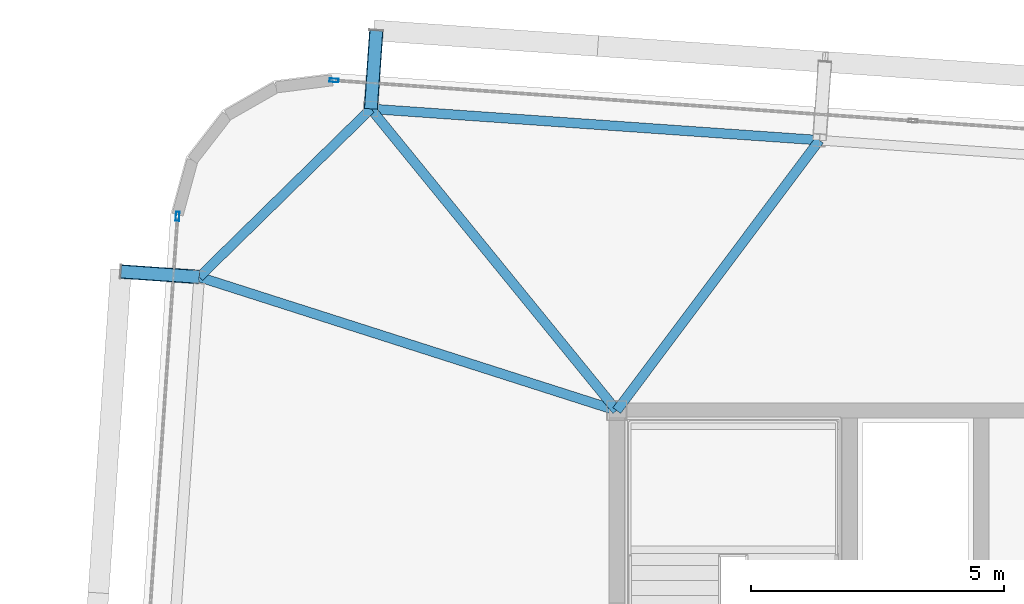
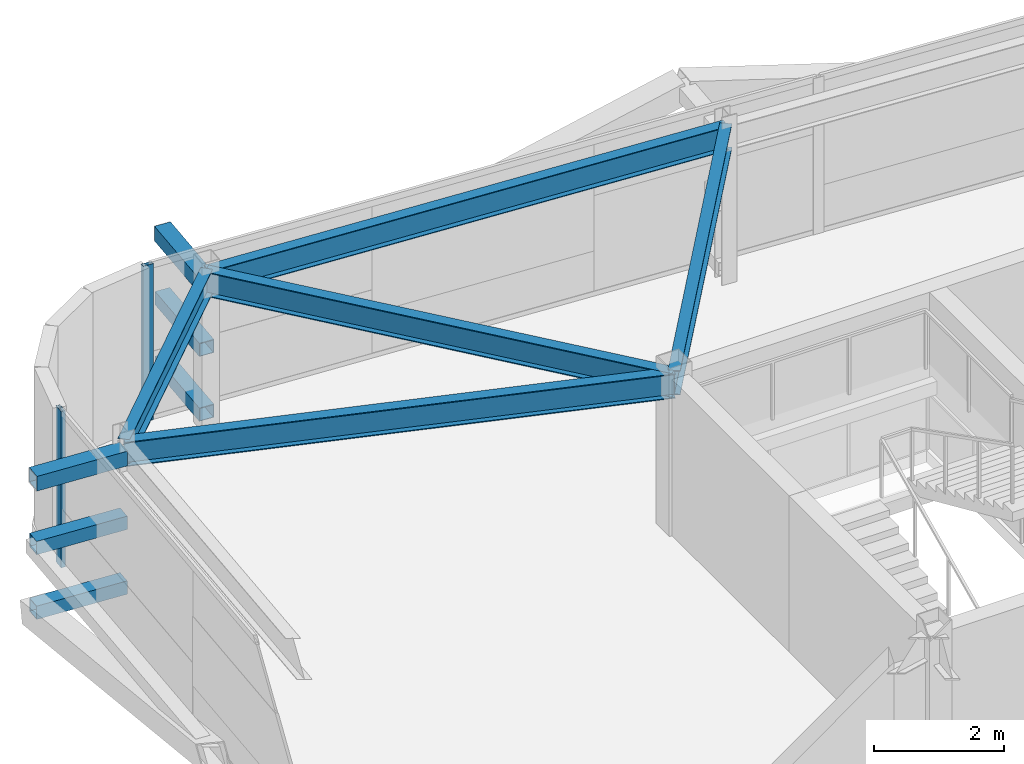
# One storey, part 19 of 39: 8 members, 5 beams, 2 elements without a shape of their own.
"""IFC4 building model written with IfcOpenShell, lengths in metres."""

from ifc_helpers import new_model, si_unit, direction, frame, origin, origin_2d, place, context, subcontext, project, spatial, hollow_rectangle, i_section, extrude, source, transform, mapped, material, layer, layer_set, material_profile, profile_set, type_object, element, aggregate, save


model = new_model("IFC4")

# Units and contexts
model_context = context("Model", 3, precision=1e-05, world=origin(), true_north=direction((0.0, 1.0)))
body_context = subcontext(model_context, "Body", "Model", "MODEL_VIEW")
ifc_project = project(units=[si_unit("LENGTHUNIT", "METRE"), si_unit("AREAUNIT", "SQUARE_METRE"), si_unit("VOLUMEUNIT", "CUBIC_METRE"), si_unit("PLANEANGLEUNIT", "RADIAN"), si_unit("MASSUNIT", "GRAM", prefix="KILO")], contexts=[model_context])

# Site, building, storey
site_placement = place(None, origin())
site = spatial("IfcSite", under=ifc_project, at=site_placement, CompositionType="ELEMENT")
building_placement = place(site_placement, origin())
building = spatial("IfcBuilding", under=site, at=building_placement, Name="Taldren Reach Tower", CompositionType="ELEMENT")
storey_placement = place(building_placement, frame((0.0, 0.0, 145.60009765625)))
storey = spatial("IfcBuildingStorey", under=building, at=storey_placement, Name="L44", CompositionType="ELEMENT", Elevation=145.60009765625)

# Members
ifc_material_1 = material(Name="Steel Gr 450 (C450L0)", Category="steel")
ifc_material_profile_1 = material_profile(ifc_material_1, hollow_rectangle(XDim=0.27490234375, YDim=0.27490234375, WallThickness=0.00927734375, at=origin_2d()), Name="275x275x9.3SHS")
ifc_profile_set_1 = profile_set([ifc_material_profile_1], Name="Steel Gr 450 (C450L0)")
member_type_1 = type_object("IfcMemberType", Name="MB-TIE273", PredefinedType="STRUT", material=ifc_profile_set_1)
shared_shape_1 = source(origin(), body_context, "Body", "SweptSolid", [
    extrude(hollow_rectangle(XDim=0.27490234375, YDim=0.27490234375, WallThickness=0.00927734375, at=origin_2d()), origin(), (0.0, 0.0, 1.0), 1.5498046875),
])
for number, where, z_axis, x_axis, name in (
    (1, (14.14453125, 37.958740234375, 2.64990234375), (0.069780535098, 0.997562367434, 0.0), (-0.997562367434, 0.069780535098, 0.0), "Exoskeleton diaphragm tie strut B3-N1 L44"),
    (2, (10.754638671875, 34.63720703125, 2.64990234375), (-0.997562367434, 0.069780535098, 0.0), (-0.069780535098, -0.997562367434, 0.0), "Exoskeleton diaphragm tie strut B3-W3 L44"),
):
    element("IfcMember", number, at=place(storey_placement, frame(where, z_axis=z_axis, x_axis=x_axis)), inside=storey, type_object=member_type_1, Name=name, PredefinedType="STRUT", context=body_context, shape_type="MappedRepresentation", body=[
        mapped(shared_shape_1, transform((0.0, 0.0, 0.0), scale=1.0)),
    ])
ifc_material_2 = material(Name="Steel Gr 350 (C350L0)", Category="steel")
ifc_material_profile_2 = material_profile(ifc_material_2, hollow_rectangle(XDim=0.25, YDim=0.25, WallThickness=0.010009765625, at=origin_2d()), Name="250x250x10.0SHS")
ifc_profile_set_2 = profile_set([ifc_material_profile_2], Name="Steel Gr 350 (C350L0)")
member_type_2 = type_object("IfcMemberType", Name="MB-POST250", PredefinedType="POST", material=ifc_profile_set_2)
shared_shape_2 = source(origin(), body_context, "Body", "SweptSolid", [
    extrude(hollow_rectangle(XDim=0.25, YDim=0.25, WallThickness=0.010009765625, at=origin_2d()), origin(), (0.0, 0.0, 1.0), 1.5498046875),
])
for number, where, z_axis, x_axis, name in (
    (3, (14.14453125, 37.958740234375, 0.219970703125), (0.069780535098, 0.997562367434, 0.0), (-0.997562367434, 0.069780535098, 0.0), "Exoskeleton base diaphragm tie strut B3-N1 L44"),
    (4, (10.754638671875, 34.63720703125, 0.219970703125), (-0.997562367434, 0.069780535098, 0.0), (-0.069780535098, -0.997562367434, 0.0), "Exoskeleton base diaphragm tie strut B3-W3 L44"),
    (5, (14.14453125, 37.958740234375, 1.434814453125), (0.069780535098, 0.997562367434, 0.0), (-0.997562367434, 0.069780535098, 0.0), "Exoskeleton mid-tier diaphragm tie B3-N1 L44"),
    (6, (10.754638671875, 34.63720703125, 1.434814453125), (-0.997562367434, 0.069780535098, 0.0), (-0.069780535098, -0.997562367434, 0.0), "Exoskeleton mid-tier diaphragm tie B3-W3 L44"),
):
    element("IfcMember", number, at=place(storey_placement, frame(where, z_axis=z_axis, x_axis=x_axis)), inside=storey, type_object=member_type_2, Name=name, PredefinedType="POST", context=body_context, shape_type="MappedRepresentation", body=[
        mapped(shared_shape_2, transform((0.0, 0.0, 0.0), scale=1.0)),
    ])

# Beams
ifc_material_3 = material(Name="Steel Gr 350 (350PLUS)", Category="steel")
ifc_material_profile_3 = material_profile(ifc_material_3, i_section(OverallWidth=0.18994140625, OverallDepth=0.4541015625, WebThickness=0.008544921875, FlangeThickness=0.0126953125, at=origin_2d()), Name="460UB67.1")
ifc_profile_set_3 = profile_set([ifc_material_profile_3], Name="Steel Gr 350 (350PLUS)")
beam_type_1 = type_object("IfcBeamType", Name="SP-UB460B", PredefinedType="SPANDREL", material=ifc_profile_set_3)
shared_shape_3 = source(origin(), body_context, "Body", "SweptSolid", [
    extrude(i_section(OverallWidth=0.18994140625, OverallDepth=0.4541015625, WebThickness=0.008544921875, FlangeThickness=0.0126953125, at=origin_2d()), origin(), (0.0, 0.0, 1.0), 8.880126953125),
])
beam_1_placement = place(storey_placement, frame((23.0029296875, 37.33935546875, 2.702880859375), z_axis=(-0.997564479639, 0.069750333063, 0.0), x_axis=(-0.069750333063, -0.997564479639, 0.0)))
element("IfcBeam", 7, at=beam_1_placement, inside=storey, type_object=beam_type_1, Name="Perimeter spandrel B3 N2-N1 L44", PredefinedType="SPANDREL", context=body_context, shape_type="MappedRepresentation", body=[
    mapped(shared_shape_3, transform((0.0, 0.0, 0.0), scale=1.0)),
])
shared_shape_4 = source(origin(), body_context, "Body", "SweptSolid", [
    extrude(i_section(OverallWidth=0.18994140625, OverallDepth=0.4541015625, WebThickness=0.008544921875, FlangeThickness=0.0126953125, at=origin_2d()), origin(), (0.0, 0.0, 1.0), 4.745849609375),
])
beam_2_placement = place(storey_placement, frame((14.14453125, 37.958740234375, 2.702880859375), z_axis=(-0.714271982806, -0.699868226581, 0.0), x_axis=(0.699868226581, -0.714271982806, 0.0)))
element("IfcBeam", 8, at=beam_2_placement, inside=storey, type_object=beam_type_1, Name="Perimeter spandrel B3 N1-W3 L44", PredefinedType="SPANDREL", context=body_context, shape_type="MappedRepresentation", body=[
    mapped(shared_shape_4, transform((0.0, 0.0, 0.0), scale=1.0)),
])
ifc_material_profile_4 = material_profile(ifc_material_3, i_section(OverallWidth=0.19091796875, OverallDepth=0.4599609375, WebThickness=0.010009765625, FlangeThickness=0.01611328125, at=origin_2d()), Name="460UB82.1")
ifc_profile_set_4 = profile_set([ifc_material_profile_4], Name="Steel Gr 350 (350PLUS)")
beam_type_2 = type_object("IfcBeamType", Name="BM-UB460A", PredefinedType="BEAM", material=ifc_profile_set_4)
shared_shape_5 = source(origin(), body_context, "Body", "SweptSolid", [
    extrude(i_section(OverallWidth=0.19091796875, OverallDepth=0.4599609375, WebThickness=0.010009765625, FlangeThickness=0.01611328125, at=origin_2d()), origin(), (0.0, 0.0, 1.0), 6.67333984375),
])
beam_3_placement = place(storey_placement, frame((19.0, 32.0, 2.699951171875), z_axis=(0.599847795508, 0.800114130749, 0.0), x_axis=(-0.800114130749, 0.599847795508, 0.0)))
element("IfcBeam", 9, at=beam_3_placement, inside=storey, type_object=beam_type_2, Name="Primary floor girder B3-N2 L44", PredefinedType="BEAM", context=body_context, shape_type="MappedRepresentation", body=[
    mapped(shared_shape_5, transform((0.0, 0.0, 0.0), scale=1.0)),
])
shared_shape_6 = source(origin(), body_context, "Body", "SweptSolid", [
    extrude(i_section(OverallWidth=0.19091796875, OverallDepth=0.4599609375, WebThickness=0.010009765625, FlangeThickness=0.01611328125, at=origin_2d()), origin(), (0.0, 0.0, 1.0), 7.6865234375),
])
beam_4_placement = place(storey_placement, frame((19.0, 32.0, 2.699951171875), z_axis=(-0.631688504871, 0.775222311866, 0.0), x_axis=(-0.775222311866, -0.631688504871, 0.0)))
element("IfcBeam", 10, at=beam_4_placement, inside=storey, type_object=beam_type_2, Name="Primary floor girder B3-N1 L44", PredefinedType="BEAM", context=body_context, shape_type="MappedRepresentation", body=[
    mapped(shared_shape_6, transform((0.0, 0.0, 0.0), scale=1.0)),
])
shared_shape_7 = source(origin(), body_context, "Body", "SweptSolid", [
    extrude(i_section(OverallWidth=0.19091796875, OverallDepth=0.4599609375, WebThickness=0.010009765625, FlangeThickness=0.01611328125, at=origin_2d()), origin(), (0.0, 0.0, 1.0), 8.65673828125),
])
beam_5_placement = place(storey_placement, frame((19.0, 32.0, 2.699951171875), z_axis=(-0.952468016288, 0.304638602195, 0.0), x_axis=(-0.304638602195, -0.952468016288, 0.0)))
element("IfcBeam", 11, at=beam_5_placement, inside=storey, type_object=beam_type_2, Name="Primary floor girder B3-W3 L44", PredefinedType="BEAM", context=body_context, shape_type="MappedRepresentation", body=[
    mapped(shared_shape_7, transform((0.0, 0.0, 0.0), scale=1.0)),
])

# Curtain wall, member
ifc_material_4 = material(Name="Aluminium and Low-E Glass Unitised System", Category="aluminium")
ifc_layer = layer(ifc_material_4, 0.159912109375)
ifc_layer_set = layer_set([ifc_layer], Name="Aluminium and Low-E Glass Unitised System")
curtain_wall_type = type_object("IfcCurtainWallType", Name="CW-SYS-4", PredefinedType="NOTDEFINED", material=ifc_layer_set)
curtain_wall_1_placement = place(storey_placement, origin())
curtain_wall_1 = element("IfcCurtainWall", 12, at=curtain_wall_1_placement, inside=storey, type_object=curtain_wall_type, Name="Unitised curtain wall CW-L44-N", PredefinedType="NOTDEFINED")
ifc_material_5 = material(Name="Anodised Aluminium 6063-T6", Category="aluminium")
ifc_material_profile_5 = material_profile(ifc_material_5, hollow_rectangle(XDim=0.070068359375, YDim=0.179931640625, WallThickness=0.00390625, at=origin_2d()), Name="ALU-180x70x4RHS")
ifc_profile_set_5 = profile_set([ifc_material_profile_5], Name="Anodised Aluminium 6063-T6")
member_type_3 = type_object("IfcMemberType", Name="CW-MUL-180", PredefinedType="MULLION", material=ifc_profile_set_5)
shared_shape_8 = source(origin(), body_context, "Body", "SweptSolid", [
    extrude(hollow_rectangle(XDim=0.070068359375, YDim=0.179931640625, WallThickness=0.00390625, at=origin_2d()), origin(), (0.0, 0.0, 1.0), 2.929931640625),
])
member_1_placement = place(storey_placement, frame((13.4169921875, 38.52099609375, 0.0), z_axis=(0.0, 0.0, 1.0), x_axis=(-0.06975651593, -0.99756404731, 0.0)))
member_1 = element("IfcMember", 13, at=member_1_placement, type_object=member_type_3, Name="CW-4 mullion 5", PredefinedType="MULLION", context=body_context, shape_type="MappedRepresentation", body=[
    mapped(shared_shape_8, transform((0.0, 0.0, 0.0), scale=1.0)),
])
aggregate(curtain_wall_1, [member_1])

curtain_wall_2_placement = place(storey_placement, origin())
curtain_wall_2 = element("IfcCurtainWall", 14, at=curtain_wall_2_placement, inside=storey, type_object=curtain_wall_type, Name="Unitised curtain wall CW-L44-W", PredefinedType="NOTDEFINED")
member_2_placement = place(storey_placement, frame((10.3271484375, 35.8349609375, 0.0), z_axis=(0.0, 0.0, 1.0), x_axis=(0.997564052812, -0.069756437251, 0.0)))
member_2 = element("IfcMember", 15, at=member_2_placement, type_object=member_type_3, Name="CW-4 mullion 1", PredefinedType="MULLION", context=body_context, shape_type="MappedRepresentation", body=[
    mapped(shared_shape_8, transform((0.0, 0.0, 0.0), scale=1.0)),
])
aggregate(curtain_wall_2, [member_2])

save(model, "model.ifc")
